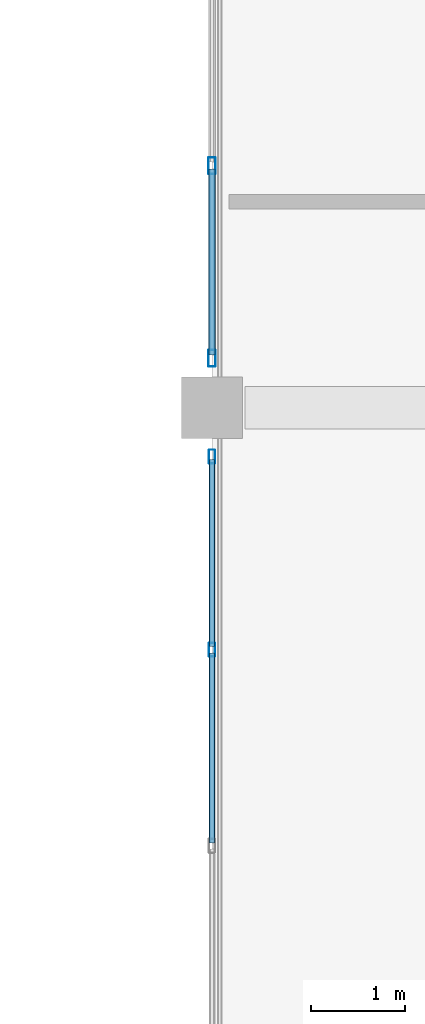
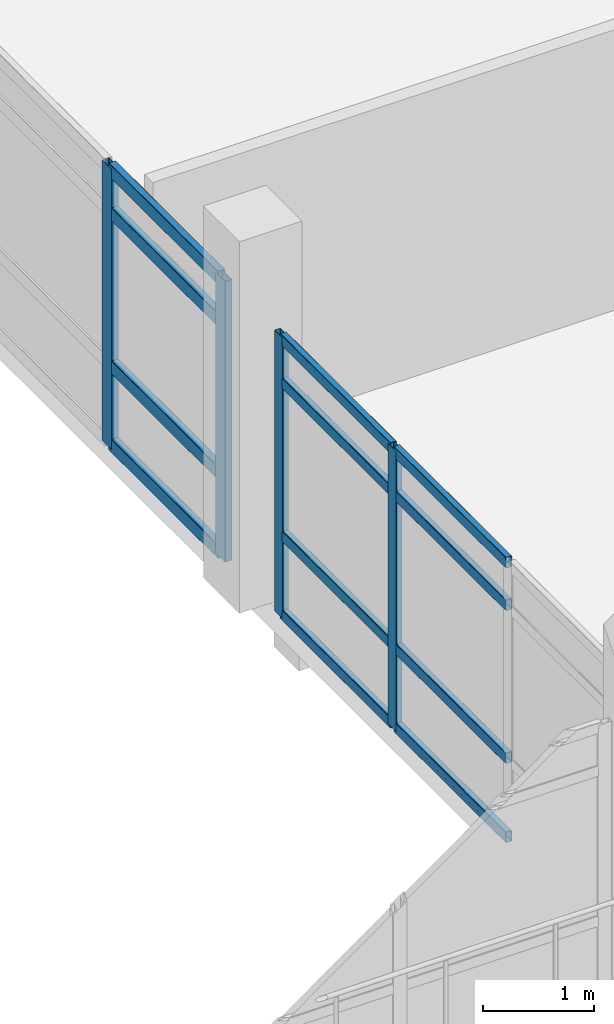
# One storey, part 25 of 72: 16 members, 2 elements without a shape of their own.
"""IFC4 building model written with IfcOpenShell, lengths in metres."""

import ifcopenshell
import ifcopenshell.guid

model = None  # the IFC model being written
_history = None  # IfcOwnerHistory: only IFC2X3 demands one
_inside = {}  # id of a spatial element -> (the spatial element, [elements in it])
_under = {}  # id of a project, library or spatial element -> (it, [spatial elements below it])
_declared = {}  # id of a project -> (the project, [libraries it declares])
_typed = {}  # id of a type object -> (the type object, [elements of that type])
_made_of = {}  # id of a material, layer set ... -> (it, [elements and type objects made of it])


def new_model(schema):
    """Start an empty IFC model of exactly this schema.

    Asked for "IFC4X3", IfcOpenShell would pick the latest addendum, in which some entities
    have other attributes; the version numbers below select the first issue.
    IFC2X3 requires an IfcOwnerHistory on every rooted entity: one is made here for all.
    """
    global model, _history
    if schema == "IFC4X3":
        model = ifcopenshell.file(schema_version=(4, 3, 0, 0))
    else:
        model = ifcopenshell.file(schema=schema)
    _inside.clear()
    _under.clear()
    _declared.clear()
    _typed.clear()
    _made_of.clear()
    _history = None
    if model.schema == "IFC2X3":
        org = make("IfcOrganization", Name="unknown")
        user = make(
            "IfcPersonAndOrganization",
            ThePerson=make("IfcPerson", FamilyName="unknown"),
            TheOrganization=org,
        )
        app = make(
            "IfcApplication",
            ApplicationDeveloper=org,
            Version="unknown",
            ApplicationFullName="unknown",
            ApplicationIdentifier="unknown",
        )
        _history = make(
            "IfcOwnerHistory",
            OwningUser=user,
            OwningApplication=app,
            ChangeAction="ADDED",
            CreationDate=0,
        )
    return model


def make(cls, **values):
    """One entity of the class cls with the attributes given. An attribute that is None is left unset."""
    return model.create_entity(
        cls, **{name: value for name, value in values.items() if value is not None}
    )


def rooted(cls, **values):
    """An entity with a GlobalId (a new one), such as an element, a storey or a relation."""
    return make(cls, GlobalId=ifcopenshell.guid.new(), OwnerHistory=_history, **values)


def si_unit(unit_type, name, prefix=None):
    """IfcSIUnit, for example si_unit("LENGTHUNIT", "METRE", prefix="MILLI")."""
    return make("IfcSIUnit", UnitType=unit_type, Prefix=prefix, Name=name)


def assignment(units):
    """IfcUnitAssignment: the units of a project."""
    return None if units is None else make("IfcUnitAssignment", Units=units)


def point(xyz):
    """IfcCartesianPoint."""
    return None if xyz is None else make("IfcCartesianPoint", Coordinates=xyz)


def direction(xyz):
    """IfcDirection."""
    return None if xyz is None else make("IfcDirection", DirectionRatios=xyz)


def frame(location, z_axis=None, x_axis=None):
    """IfcAxis2Placement3D, a coordinate frame: its origin and axes. An axis left out is left unset."""
    return make(
        "IfcAxis2Placement3D",
        Location=point(location),
        Axis=direction(z_axis),
        RefDirection=direction(x_axis),
    )


def frame_2d(location, x_axis=None):
    """IfcAxis2Placement2D, a coordinate frame in the plane: its origin and x axis."""
    return make(
        "IfcAxis2Placement2D", Location=point(location), RefDirection=direction(x_axis)
    )


def origin():
    """The frame at (0, 0, 0) with its axes left unset."""
    return frame((0.0, 0.0, 0.0))


def origin_2d():
    """The frame at (0, 0) in the plane with its x axis left unset."""
    return frame_2d((0.0, 0.0))


def place(relative_to, where):
    """IfcLocalPlacement: puts the frame where relative to a parent placement (None: the world)."""
    return make(
        "IfcLocalPlacement", PlacementRelTo=relative_to, RelativePlacement=where
    )


def context(
    kind, dimensions, precision=None, world=None, true_north=None, identifier=None
):
    """IfcGeometricRepresentationContext, for example the 3D "Model" context."""
    return make(
        "IfcGeometricRepresentationContext",
        ContextIdentifier=identifier,
        ContextType=kind,
        CoordinateSpaceDimension=dimensions,
        Precision=precision,
        WorldCoordinateSystem=world,
        TrueNorth=true_north,
    )


def subcontext(parent, identifier, kind, view, scale=None):
    """IfcGeometricRepresentationSubContext, for example "Body" below "Model"."""
    return make(
        "IfcGeometricRepresentationSubContext",
        ContextIdentifier=identifier,
        ContextType=kind,
        ParentContext=parent,
        TargetScale=scale,
        TargetView=view,
    )


def project(units=None, contexts=None):
    """IfcProject with its units and contexts."""
    return rooted(
        "IfcProject",
        Name="project",
        RepresentationContexts=contexts,
        UnitsInContext=assignment(units),
    )


def spatial(cls, under=None, at=None, **own):
    """A site, building, storey or space (cls), placed at a placement, below another one or the project."""
    s = rooted(cls, ObjectPlacement=at, **own)
    if under is not None:
        _under.setdefault(under.id(), (under, []))[1].append(s)
    return s


def profile(cls, at=None, kind="AREA", **sizes):
    """A parametric profile (cls). Its sizes go by their IFC names, for example OverallWidth=200.0."""
    return make(cls, ProfileType=kind, Position=at, **sizes)


def hollow_rectangle(**sizes):
    """IfcRectangleHollowProfileDef."""
    return profile("IfcRectangleHollowProfileDef", **sizes)


def extrude(swept, where, along, depth):
    """IfcExtrudedAreaSolid: the profile swept, set in the frame where, extruded along a direction by depth."""
    return make(
        "IfcExtrudedAreaSolid",
        SweptArea=swept,
        Position=where,
        ExtrudedDirection=direction(along),
        Depth=depth,
    )


def shape(context_of_items, identifier, shape_type, items):
    """IfcShapeRepresentation: the items that make up one representation, for example the "Body"."""
    return make(
        "IfcShapeRepresentation",
        ContextOfItems=context_of_items,
        RepresentationIdentifier=identifier,
        RepresentationType=shape_type,
        Items=items,
    )


def material(Name=None, Category=None):
    """IfcMaterial."""
    return make("IfcMaterial", Name=Name, Category=Category)


def layer(
    of_material, thickness, ventilated=None, Name=None, Category=None, Priority=None
):
    """IfcMaterialLayer: one layer of a wall or slab, of a material (None: an air gap)."""
    return make(
        "IfcMaterialLayer",
        Material=of_material,
        LayerThickness=thickness,
        IsVentilated=ventilated,
        Name=Name,
        Category=Category,
        Priority=Priority,
    )


def layer_set(layers, Name=None):
    """IfcMaterialLayerSet."""
    return make("IfcMaterialLayerSet", MaterialLayers=layers, LayerSetName=Name)


def material_profile(
    of_material, cross_section, Name=None, Category=None, Priority=None
):
    """IfcMaterialProfile: a cross section and its material."""
    return make(
        "IfcMaterialProfile",
        Name=Name,
        Material=of_material,
        Profile=cross_section,
        Priority=Priority,
        Category=Category,
    )


def profile_set(profiles, Name=None, composite=None):
    """IfcMaterialProfileSet."""
    return make(
        "IfcMaterialProfileSet",
        Name=Name,
        MaterialProfiles=profiles,
        CompositeProfile=composite,
    )


def made_of(thing, what):
    """Note that an element or type object is made of a material, layer set ...; save() writes the relation."""
    if what is not None:
        _made_of.setdefault(what.id(), (what, []))[1].append(thing)
    return thing


def type_object(cls, material=None, **own):
    """A type object (cls), such as IfcWallType, which elements share."""
    return made_of(rooted(cls, **own), material)


def element(
    cls,
    number,
    at=None,
    inside=None,
    cuts=None,
    type_object=None,
    material=None,
    context=None,
    identifier="Body",
    shape_type=None,
    held_by="IfcProductDefinitionShape",
    body=None,
    shapes=None,
    **own,
):
    """One element of the class cls, such as IfcWall. Its Tag is "e" and its number.

    at: its placement. inside: the storey or other place that contains it. cuts: it is an
    opening in that element (IfcRelVoidsElement). A single representation is given by context,
    identifier, shape_type and body (its items); several are given by shapes. held_by: the class
    of the entity that holds the representations. save() writes the other relations.
    """
    e = rooted(cls, Tag="e%d" % number, ObjectPlacement=at, **own)
    if body is not None:
        shapes = [shape(context, identifier, shape_type, body)]
    if shapes is not None:
        e.Representation = make(held_by, Representations=shapes)
    if inside is not None:
        _inside.setdefault(inside.id(), (inside, []))[1].append(e)
    if cuts is not None:
        rooted(
            "IfcRelVoidsElement", RelatingBuildingElement=cuts, RelatedOpeningElement=e
        )
    if type_object is not None:
        _typed.setdefault(type_object.id(), (type_object, []))[1].append(e)
    return made_of(e, material)


def aggregate(whole, parts):
    """IfcRelAggregates: a whole, such as a stair, and the parts it consists of."""
    return rooted("IfcRelAggregates", RelatingObject=whole, RelatedObjects=parts)


def save(model, path):
    """Write the relations noted so far, then the file.

    IfcRelAggregates (storeys below a building ...), IfcRelContainedInSpatialStructure (elements
    in a storey), IfcRelDefinesByType, IfcRelAssociatesMaterial and IfcRelDeclares: one each for
    every whole, place, type object, material and project.
    """
    for whole, parts in _under.values():
        aggregate(whole, parts)
    for where, things in _inside.values():
        rooted(
            "IfcRelContainedInSpatialStructure",
            RelatedElements=things,
            RelatingStructure=where,
        )
    for kind, things in _typed.values():
        rooted("IfcRelDefinesByType", RelatedObjects=things, RelatingType=kind)
    for what, things in _made_of.values():
        rooted("IfcRelAssociatesMaterial", RelatedObjects=things, RelatingMaterial=what)
    for by, libraries in _declared.values():
        rooted("IfcRelDeclares", RelatingContext=by, RelatedDefinitions=libraries)
    model.write(path)


model = new_model("IFC4")

# Units and contexts
model_context = context("Model", 3, precision=1e-05, world=origin(), true_north=direction((0.0, 1.0)))
body_context = subcontext(model_context, "Body", "Model", "MODEL_VIEW")
ifc_project = project(units=[si_unit("LENGTHUNIT", "METRE"), si_unit("AREAUNIT", "SQUARE_METRE"), si_unit("VOLUMEUNIT", "CUBIC_METRE"), si_unit("PLANEANGLEUNIT", "RADIAN"), si_unit("MASSUNIT", "GRAM", prefix="KILO")], contexts=[model_context])

# Site, building, storey
site_placement = place(None, origin())
site = spatial("IfcSite", under=ifc_project, at=site_placement, CompositionType="ELEMENT")
building_placement = place(site_placement, origin())
building = spatial("IfcBuilding", under=site, at=building_placement, Name="Asteropetra Specialist Clinic", CompositionType="ELEMENT")
storey_placement = place(building_placement, frame((0.0, 0.0, 12.580078125)))
storey = spatial("IfcBuildingStorey", under=building, at=storey_placement, Name="L03", CompositionType="ELEMENT", Elevation=12.580078125)

# Curtain wall, members
ifc_material_1 = material(Name="Aluminium and low-E glass", Category="aluminium")
ifc_layer_1 = layer(ifc_material_1, 0.14990234375)
ifc_layer_set_1 = layer_set([ifc_layer_1], Name="Aluminium and low-E glass")
curtain_wall_type_1 = type_object("IfcCurtainWallType", Name="CW-SYS-05", PredefinedType="USERDEFINED", material=ifc_layer_set_1)
curtain_wall_1_placement = place(storey_placement, origin())
curtain_wall_1 = element("IfcCurtainWall", 1, at=curtain_wall_1_placement, inside=storey, type_object=curtain_wall_type_1, Name="Curtain Wall CW-046", ObjectType="UNITISED CURTAIN WALL", PredefinedType="USERDEFINED")
ifc_material_2 = material(Name="Aluminium 6063-T6", Category="aluminium")
ifc_material_profile_1 = material_profile(ifc_material_2, hollow_rectangle(XDim=0.06494140625, YDim=0.14990234375, WallThickness=0.00390625, InnerFilletRadius=0.00390625, OuterFilletRadius=0.008056640625, at=origin_2d()), Name="MUL 150x65x4.0")
ifc_profile_set_1 = profile_set([ifc_material_profile_1], Name="Aluminium 6063-T6")
member_type_1 = type_object("IfcMemberType", Name="CWM-150x65", PredefinedType="MULLION", material=ifc_profile_set_1)
member_1_placement = place(storey_placement, frame((28.800048828125, 81.438232421875, 0.0), z_axis=(0.0, 0.0, 1.0), x_axis=(-1.0, 0.0, 0.0)))
member_1 = element("IfcMember", 2, at=member_1_placement, type_object=member_type_1, Name="CW-046 mullion 3", PredefinedType="MULLION", context=body_context, shape_type="SweptSolid", body=[
    extrude(hollow_rectangle(XDim=0.06494140625, YDim=0.14990234375, WallThickness=0.00390625, InnerFilletRadius=0.00390625, OuterFilletRadius=0.008056640625, at=origin_2d()), origin(), (0.0, 0.0, 1.0), 3.079833984375),
])
member_2_placement = place(storey_placement, frame((28.800048828125, 83.482421875, 0.0), z_axis=(0.0, 0.0, 1.0), x_axis=(-1.0, 0.0, 0.0)))
member_2 = element("IfcMember", 3, at=member_2_placement, type_object=member_type_1, Name="CW-046 mullion 4", PredefinedType="MULLION", context=body_context, shape_type="SweptSolid", body=[
    extrude(hollow_rectangle(XDim=0.06494140625, YDim=0.14990234375, WallThickness=0.00390625, InnerFilletRadius=0.00390625, OuterFilletRadius=0.008056640625, at=origin_2d()), origin(), (0.0, 0.0, 1.0), 3.079833984375),
])

ifc_material_3 = material(Name="Aluminium and low-E glass", Category="aluminium")
ifc_layer_2 = layer(ifc_material_3, 0.135009765625)
ifc_layer_set_2 = layer_set([ifc_layer_2], Name="Aluminium and low-E glass")
curtain_wall_type_2 = type_object("IfcCurtainWallType", Name="CW-SYS-06", PredefinedType="USERDEFINED", material=ifc_layer_set_2)
curtain_wall_2_placement = place(storey_placement, origin())
curtain_wall_2 = element("IfcCurtainWall", 4, at=curtain_wall_2_placement, inside=storey, type_object=curtain_wall_type_2, Name="Curtain Wall CW-048", ObjectType="UNITISED CURTAIN WALL", PredefinedType="USERDEFINED")
ifc_material_4 = material(Name="Aluminium 6063-T6", Category="aluminium")
ifc_material_profile_2 = material_profile(ifc_material_4, hollow_rectangle(XDim=0.074951171875, YDim=0.179931640625, WallThickness=0.00390625, InnerFilletRadius=0.00390625, OuterFilletRadius=0.008056640625, at=origin_2d()), Name="MUL 180x75x4.0")
ifc_profile_set_2 = profile_set([ifc_material_profile_2], Name="Aluminium 6063-T6")
member_type_2 = type_object("IfcMemberType", Name="CWM-180x75", PredefinedType="MULLION", material=ifc_profile_set_2)
member_3_placement = place(storey_placement, frame((28.800048828125, 84.5224609375, 0.0), z_axis=(0.0, 0.0, 1.0), x_axis=(-1.0, 0.0, 0.0)))
member_3 = element("IfcMember", 5, at=member_3_placement, type_object=member_type_2, Name="CW-048 mullion 1", PredefinedType="MULLION", context=body_context, shape_type="SweptSolid", body=[
    extrude(hollow_rectangle(XDim=0.074951171875, YDim=0.179931640625, WallThickness=0.00390625, InnerFilletRadius=0.00390625, OuterFilletRadius=0.008056640625, at=origin_2d()), origin(), (0.0, 0.0, 1.0), 3.079833984375),
])
member_4_placement = place(storey_placement, frame((28.800048828125, 86.561767578125, 0.0), z_axis=(0.0, 0.0, 1.0), x_axis=(-1.0, 0.0, 0.0)))
member_4 = element("IfcMember", 6, at=member_4_placement, type_object=member_type_2, Name="CW-048 mullion 2", PredefinedType="MULLION", context=body_context, shape_type="SweptSolid", body=[
    extrude(hollow_rectangle(XDim=0.074951171875, YDim=0.179931640625, WallThickness=0.00390625, InnerFilletRadius=0.00390625, OuterFilletRadius=0.008056640625, at=origin_2d()), origin(), (0.0, 0.0, 1.0), 3.079833984375),
])

# Member
ifc_material_5 = material(Name="Aluminium 6063-T6", Category="aluminium")
ifc_material_profile_3 = material_profile(ifc_material_5, hollow_rectangle(XDim=0.06494140625, YDim=0.1201171875, WallThickness=0.00390625, InnerFilletRadius=0.00390625, OuterFilletRadius=0.008056640625, at=origin_2d()), Name="TRN 120x65x4.0")
ifc_profile_set_3 = profile_set([ifc_material_profile_3], Name="Aluminium 6063-T6")
member_type_3 = type_object("IfcMemberType", Name="CWT-120x65", PredefinedType="USERDEFINED", material=ifc_profile_set_3)
member_5_placement = place(storey_placement, frame((28.800048828125, 79.394287109375, 0.032470703125), z_axis=(0.0, 1.0, 0.0), x_axis=(-1.0, 0.0, 0.0)))
member_5 = element("IfcMember", 7, at=member_5_placement, type_object=member_type_3, Name="CW-046 transom 2.1", ObjectType="TRANSOM", PredefinedType="USERDEFINED", context=body_context, shape_type="SweptSolid", body=[
    extrude(hollow_rectangle(XDim=0.06494140625, YDim=0.1201171875, WallThickness=0.00390625, InnerFilletRadius=0.00390625, OuterFilletRadius=0.008056640625, at=origin_2d()), origin(), (0.0, 0.0, 1.0), 2.011474609375),
])

member_6_placement = place(storey_placement, frame((28.800048828125, 79.394287109375, 0.89990234375), z_axis=(0.0, 1.0, 0.0), x_axis=(-1.0, 0.0, 0.0)))
member_6 = element("IfcMember", 8, at=member_6_placement, type_object=member_type_3, Name="CW-046 transom 2.2", ObjectType="TRANSOM", PredefinedType="USERDEFINED", context=body_context, shape_type="SweptSolid", body=[
    extrude(hollow_rectangle(XDim=0.06494140625, YDim=0.1201171875, WallThickness=0.00390625, InnerFilletRadius=0.00390625, OuterFilletRadius=0.008056640625, at=origin_2d()), origin(), (0.0, 0.0, 1.0), 2.011474609375),
])

member_7_placement = place(storey_placement, frame((28.800048828125, 79.394287109375, 2.579833984375), z_axis=(0.0, 1.0, 0.0), x_axis=(-1.0, 0.0, 0.0)))
member_7 = element("IfcMember", 9, at=member_7_placement, type_object=member_type_3, Name="CW-046 transom 2.3", ObjectType="TRANSOM", PredefinedType="USERDEFINED", context=body_context, shape_type="SweptSolid", body=[
    extrude(hollow_rectangle(XDim=0.06494140625, YDim=0.1201171875, WallThickness=0.00390625, InnerFilletRadius=0.00390625, OuterFilletRadius=0.008056640625, at=origin_2d()), origin(), (0.0, 0.0, 1.0), 2.011474609375),
])

member_8_placement = place(storey_placement, frame((28.800048828125, 79.394287109375, 3.04736328125), z_axis=(0.0, 1.0, 0.0), x_axis=(-1.0, 0.0, 0.0)))
member_8 = element("IfcMember", 10, at=member_8_placement, type_object=member_type_3, Name="CW-046 transom 2.4", ObjectType="TRANSOM", PredefinedType="USERDEFINED", context=body_context, shape_type="SweptSolid", body=[
    extrude(hollow_rectangle(XDim=0.06494140625, YDim=0.1201171875, WallThickness=0.00390625, InnerFilletRadius=0.00390625, OuterFilletRadius=0.008056640625, at=origin_2d()), origin(), (0.0, 0.0, 1.0), 2.011474609375),
])

member_9_placement = place(storey_placement, frame((28.800048828125, 81.470947265625, 0.032470703125), z_axis=(0.0, 1.0, 0.0), x_axis=(-1.0, 0.0, 0.0)))
member_9 = element("IfcMember", 11, at=member_9_placement, type_object=member_type_3, Name="CW-046 transom 3.1", ObjectType="TRANSOM", PredefinedType="USERDEFINED", context=body_context, shape_type="SweptSolid", body=[
    extrude(hollow_rectangle(XDim=0.06494140625, YDim=0.1201171875, WallThickness=0.00390625, InnerFilletRadius=0.00390625, OuterFilletRadius=0.008056640625, at=origin_2d()), origin(), (0.0, 0.0, 1.0), 1.97900390625),
])

member_10_placement = place(storey_placement, frame((28.800048828125, 81.470947265625, 0.89990234375), z_axis=(0.0, 1.0, 0.0), x_axis=(-1.0, 0.0, 0.0)))
member_10 = element("IfcMember", 12, at=member_10_placement, type_object=member_type_3, Name="CW-046 transom 3.2", ObjectType="TRANSOM", PredefinedType="USERDEFINED", context=body_context, shape_type="SweptSolid", body=[
    extrude(hollow_rectangle(XDim=0.06494140625, YDim=0.1201171875, WallThickness=0.00390625, InnerFilletRadius=0.00390625, OuterFilletRadius=0.008056640625, at=origin_2d()), origin(), (0.0, 0.0, 1.0), 1.97900390625),
])

member_11_placement = place(storey_placement, frame((28.800048828125, 81.470947265625, 2.579833984375), z_axis=(0.0, 1.0, 0.0), x_axis=(-1.0, 0.0, 0.0)))
member_11 = element("IfcMember", 13, at=member_11_placement, type_object=member_type_3, Name="CW-046 transom 3.3", ObjectType="TRANSOM", PredefinedType="USERDEFINED", context=body_context, shape_type="SweptSolid", body=[
    extrude(hollow_rectangle(XDim=0.06494140625, YDim=0.1201171875, WallThickness=0.00390625, InnerFilletRadius=0.00390625, OuterFilletRadius=0.008056640625, at=origin_2d()), origin(), (0.0, 0.0, 1.0), 1.97900390625),
])

member_12_placement = place(storey_placement, frame((28.800048828125, 81.470947265625, 3.04736328125), z_axis=(0.0, 1.0, 0.0), x_axis=(-1.0, 0.0, 0.0)))
member_12 = element("IfcMember", 14, at=member_12_placement, type_object=member_type_3, Name="CW-046 transom 3.4", ObjectType="TRANSOM", PredefinedType="USERDEFINED", context=body_context, shape_type="SweptSolid", body=[
    extrude(hollow_rectangle(XDim=0.06494140625, YDim=0.1201171875, WallThickness=0.00390625, InnerFilletRadius=0.00390625, OuterFilletRadius=0.008056640625, at=origin_2d()), origin(), (0.0, 0.0, 1.0), 1.97900390625),
])

aggregate(curtain_wall_1, [member_1, member_2, member_5, member_6, member_7, member_8, member_9, member_10, member_11, member_12])

ifc_material_6 = material(Name="Aluminium 6063-T6", Category="aluminium")
ifc_material_profile_4 = material_profile(ifc_material_6, hollow_rectangle(XDim=0.074951171875, YDim=0.14990234375, WallThickness=0.00390625, InnerFilletRadius=0.00390625, OuterFilletRadius=0.008056640625, at=origin_2d()), Name="TRN 150x75x4.0")
ifc_profile_set_4 = profile_set([ifc_material_profile_4], Name="Aluminium 6063-T6")
member_type_4 = type_object("IfcMemberType", Name="CWT-150x75", PredefinedType="USERDEFINED", material=ifc_profile_set_4)
member_13_placement = place(storey_placement, frame((28.800048828125, 84.56005859375, 0.037353515625), z_axis=(0.0, 1.0, 0.0), x_axis=(-1.0, 0.0, 0.0)))
member_13 = element("IfcMember", 15, at=member_13_placement, type_object=member_type_4, Name="CW-048 transom 1.1", ObjectType="TRANSOM", PredefinedType="USERDEFINED", context=body_context, shape_type="SweptSolid", body=[
    extrude(hollow_rectangle(XDim=0.074951171875, YDim=0.14990234375, WallThickness=0.00390625, InnerFilletRadius=0.00390625, OuterFilletRadius=0.008056640625, at=origin_2d()), origin(), (0.0, 0.0, 1.0), 1.964111328125),
])

member_14_placement = place(storey_placement, frame((28.800048828125, 84.56005859375, 0.89990234375), z_axis=(0.0, 1.0, 0.0), x_axis=(-1.0, 0.0, 0.0)))
member_14 = element("IfcMember", 16, at=member_14_placement, type_object=member_type_4, Name="CW-048 transom 1.2", ObjectType="TRANSOM", PredefinedType="USERDEFINED", context=body_context, shape_type="SweptSolid", body=[
    extrude(hollow_rectangle(XDim=0.074951171875, YDim=0.14990234375, WallThickness=0.00390625, InnerFilletRadius=0.00390625, OuterFilletRadius=0.008056640625, at=origin_2d()), origin(), (0.0, 0.0, 1.0), 1.964111328125),
])

member_15_placement = place(storey_placement, frame((28.800048828125, 84.56005859375, 2.579833984375), z_axis=(0.0, 1.0, 0.0), x_axis=(-1.0, 0.0, 0.0)))
member_15 = element("IfcMember", 17, at=member_15_placement, type_object=member_type_4, Name="CW-048 transom 1.3", ObjectType="TRANSOM", PredefinedType="USERDEFINED", context=body_context, shape_type="SweptSolid", body=[
    extrude(hollow_rectangle(XDim=0.074951171875, YDim=0.14990234375, WallThickness=0.00390625, InnerFilletRadius=0.00390625, OuterFilletRadius=0.008056640625, at=origin_2d()), origin(), (0.0, 0.0, 1.0), 1.964111328125),
])

member_16_placement = place(storey_placement, frame((28.800048828125, 84.56005859375, 3.04248046875), z_axis=(0.0, 1.0, 0.0), x_axis=(-1.0, 0.0, 0.0)))
member_16 = element("IfcMember", 18, at=member_16_placement, type_object=member_type_4, Name="CW-048 transom 1.4", ObjectType="TRANSOM", PredefinedType="USERDEFINED", context=body_context, shape_type="SweptSolid", body=[
    extrude(hollow_rectangle(XDim=0.074951171875, YDim=0.14990234375, WallThickness=0.00390625, InnerFilletRadius=0.00390625, OuterFilletRadius=0.008056640625, at=origin_2d()), origin(), (0.0, 0.0, 1.0), 1.964111328125),
])

aggregate(curtain_wall_2, [member_3, member_4, member_13, member_14, member_15, member_16])

save(model, "model.ifc")
